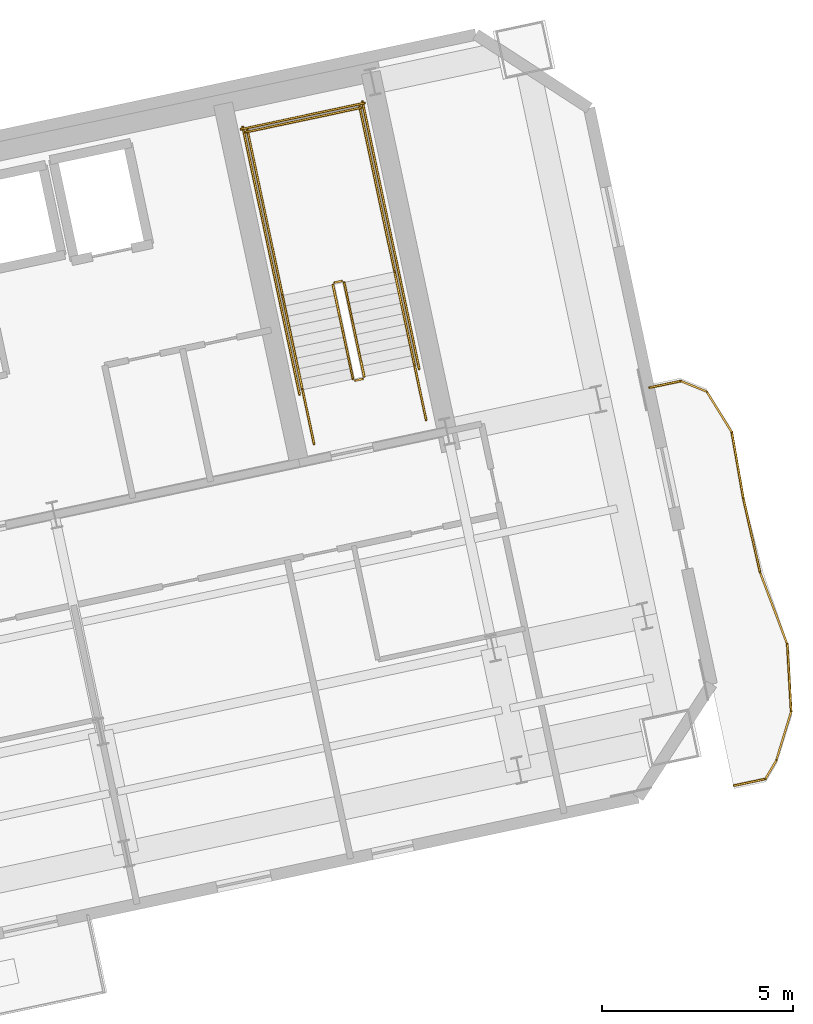
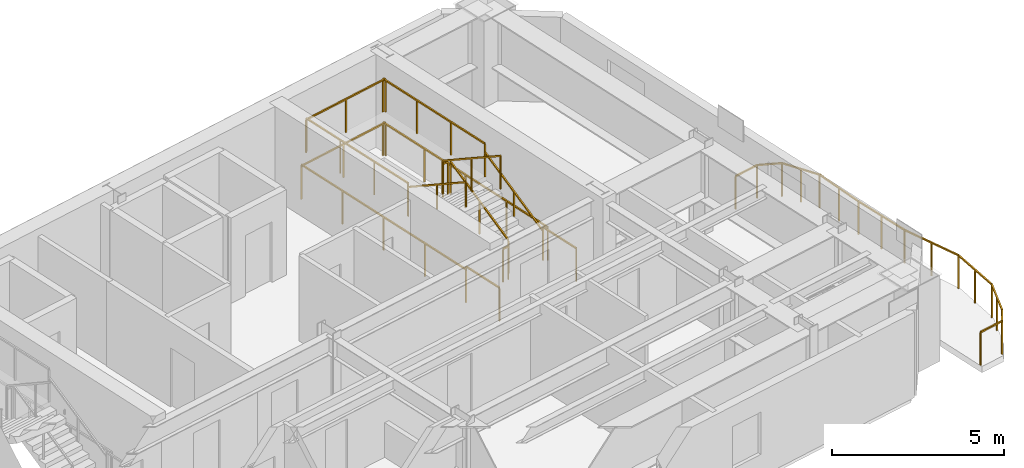
# One storey, part 16 of 16: 24 railings.
"""IFC4 building model written with IfcOpenShell, lengths in metres."""

from ifc_helpers import new_model, si_unit, direction, frame, origin, origin_2d, place, context, subcontext, project, spatial, rectangle, extrude, material, type_object, element, save


model = new_model("IFC4")

# Units and contexts
model_context = context("Model", 3, precision=1e-05, world=origin(), true_north=direction((0.0, 1.0)))
body_context = subcontext(model_context, "Body", "Model", "MODEL_VIEW")
ifc_project = project(units=[si_unit("LENGTHUNIT", "METRE"), si_unit("AREAUNIT", "SQUARE_METRE"), si_unit("VOLUMEUNIT", "CUBIC_METRE"), si_unit("PLANEANGLEUNIT", "RADIAN"), si_unit("MASSUNIT", "GRAM", prefix="KILO")], contexts=[model_context])

# Site, building, storey
site_placement = place(None, origin())
site = spatial("IfcSite", under=ifc_project, at=site_placement, CompositionType="ELEMENT")
building_placement = place(site_placement, origin())
building = spatial("IfcBuilding", under=site, at=building_placement, Name="Haevon Station Towers", CompositionType="ELEMENT")
storey_placement = place(building_placement, frame((0.0, 0.0, 172.5)))
storey = spatial("IfcBuildingStorey", under=building, at=storey_placement, Name="L47", CompositionType="ELEMENT", Elevation=172.5)

# Railings
ifc_material = material(Name="Steel S355", Category="steel")
railing_type_1 = type_object("IfcRailingType", Name="GRD-EXT1200", PredefinedType="GUARDRAIL", material=ifc_material)
railing_1_placement = place(storey_placement, frame((126.807861328125, 32.541259765625, 0.0)))
element("IfcRailing", 1, at=railing_1_placement, inside=storey, type_object=railing_type_1, Name="L47 Perimeter Guardrail 1", PredefinedType="GUARDRAIL", context=body_context, shape_type="SweptSolid", body=[
    extrude(rectangle(XDim=0.048095703125, YDim=0.048095703125, at=origin_2d()), frame((0.0, 0.0, 1.17578125), z_axis=(0.977691431104, 0.210046341426, 0.0), x_axis=(-0.210046341426, 0.977691431104, 0.0)), (0.0, 0.0, 1.0), 0.838134765625),
    extrude(rectangle(XDim=0.0419921875, YDim=0.0419921875, at=origin_2d()), origin(), (0.0, 0.0, 1.0), 1.15185546875),
    extrude(rectangle(XDim=0.0419921875, YDim=0.0419921875, at=origin_2d()), frame((0.8193359375, 0.176025390625, 0.0)), (0.0, 0.0, 1.0), 1.15185546875),
])
railing_2_placement = place(storey_placement, frame((127.627197265625, 32.71728515625, 0.0)))
element("IfcRailing", 2, at=railing_2_placement, inside=storey, type_object=railing_type_1, Name="L47 Perimeter Guardrail 2", PredefinedType="GUARDRAIL", context=body_context, shape_type="SweptSolid", body=[
    extrude(rectangle(XDim=0.048095703125, YDim=0.048095703125, at=origin_2d()), frame((0.0, 0.0, 1.17578125), z_axis=(0.50791843556, 0.861405167629, 0.0), x_axis=(-0.861405167629, 0.50791843556, 0.0)), (0.0, 0.0, 1.0), 0.55810546875),
    extrude(rectangle(XDim=0.0419921875, YDim=0.0419921875, at=origin_2d()), origin(), (0.0, 0.0, 1.0), 1.15185546875),
    extrude(rectangle(XDim=0.0419921875, YDim=0.0419921875, at=origin_2d()), frame((0.283447265625, 0.480712890625, 0.0)), (0.0, 0.0, 1.0), 1.15185546875),
])
railing_3_placement = place(storey_placement, frame((127.91064453125, 33.197998046875, 0.0)))
element("IfcRailing", 3, at=railing_3_placement, inside=storey, type_object=railing_type_1, Name="L47 Perimeter Guardrail 3", PredefinedType="GUARDRAIL", context=body_context, shape_type="SweptSolid", body=[
    extrude(rectangle(XDim=0.048095703125, YDim=0.048095703125, at=origin_2d()), frame((0.0, 0.0, 1.17578125), z_axis=(0.290899845099, 0.95675351064, 0.0), x_axis=(-0.95675351064, 0.290899845099, 0.0)), (0.0, 0.0, 1.0), 1.336181640625),
    extrude(rectangle(XDim=0.0419921875, YDim=0.0419921875, at=origin_2d()), origin(), (0.0, 0.0, 1.0), 1.15185546875),
    extrude(rectangle(XDim=0.0419921875, YDim=0.0419921875, at=origin_2d()), frame((0.1943359375, 0.63916015625, 0.0)), (0.0, 0.0, 1.0), 1.15185546875),
    extrude(rectangle(XDim=0.0419921875, YDim=0.0419921875, at=origin_2d()), frame((0.388671875, 1.2783203125, 0.0)), (0.0, 0.0, 1.0), 1.15185546875),
])
railing_4_placement = place(storey_placement, frame((128.29931640625, 34.476318359375, 0.0)))
element("IfcRailing", 4, at=railing_4_placement, inside=storey, type_object=railing_type_1, Name="L47 Perimeter Guardrail 4", PredefinedType="GUARDRAIL", context=body_context, shape_type="SweptSolid", body=[
    extrude(rectangle(XDim=0.048095703125, YDim=0.048095703125, at=origin_2d()), frame((0.0, 0.0, 1.17578125), z_axis=(-0.057490580882, 0.998346048778, 0.0), x_axis=(-0.998346048778, -0.057490580882, 0.0)), (0.0, 0.0, 1.0), 1.7666015625),
    extrude(rectangle(XDim=0.0419921875, YDim=0.0419921875, at=origin_2d()), origin(), (0.0, 0.0, 1.0), 1.15185546875),
    extrude(rectangle(XDim=0.0419921875, YDim=0.0419921875, at=origin_2d()), frame((-0.05078125, 0.8818359375, 0.0)), (0.0, 0.0, 1.0), 1.15185546875),
    extrude(rectangle(XDim=0.0419921875, YDim=0.0419921875, at=origin_2d()), frame((-0.1015625, 1.763671875, 0.0)), (0.0, 0.0, 1.0), 1.15185546875),
])
railing_5_placement = place(storey_placement, frame((128.19775390625, 36.239990234375, 0.0)))
element("IfcRailing", 5, at=railing_5_placement, inside=storey, type_object=railing_type_1, Name="L47 Perimeter Guardrail 5", PredefinedType="GUARDRAIL", context=body_context, shape_type="SweptSolid", body=[
    extrude(rectangle(XDim=0.048095703125, YDim=0.048095703125, at=origin_2d()), frame((0.0, 0.0, 1.17578125), z_axis=(-0.35410675099, 0.935205009024, 0.0), x_axis=(-0.935205009024, -0.35410675099, 0.0)), (0.0, 0.0, 1.0), 2.0166015625),
    extrude(rectangle(XDim=0.0419921875, YDim=0.0419921875, at=origin_2d()), origin(), (0.0, 0.0, 1.0), 1.15185546875),
    extrude(rectangle(XDim=0.0419921875, YDim=0.0419921875, at=origin_2d()), frame((-0.35693359375, 0.94287109375, 0.0)), (0.0, 0.0, 1.0), 1.15185546875),
    extrude(rectangle(XDim=0.0419921875, YDim=0.0419921875, at=origin_2d()), frame((-0.714111328125, 1.885986328125, 0.0)), (0.0, 0.0, 1.0), 1.15185546875),
])
railing_6_placement = place(storey_placement, frame((127.483642578125, 38.1259765625, 0.0)))
element("IfcRailing", 6, at=railing_6_placement, inside=storey, type_object=railing_type_1, Name="L47 Perimeter Guardrail 6", PredefinedType="GUARDRAIL", context=body_context, shape_type="SweptSolid", body=[
    extrude(rectangle(XDim=0.048095703125, YDim=0.048095703125, at=origin_2d()), frame((0.0, 0.0, 1.17578125), z_axis=(-0.220411539334, 0.975406968054, 0.0), x_axis=(-0.975406968054, -0.220411539334, 0.0)), (0.0, 0.0, 1.0), 1.9892578125),
    extrude(rectangle(XDim=0.0419921875, YDim=0.0419921875, at=origin_2d()), origin(), (0.0, 0.0, 1.0), 1.15185546875),
    extrude(rectangle(XDim=0.0419921875, YDim=0.0419921875, at=origin_2d()), frame((-0.21923828125, 0.97021484375, 0.0)), (0.0, 0.0, 1.0), 1.15185546875),
    extrude(rectangle(XDim=0.0419921875, YDim=0.0419921875, at=origin_2d()), frame((-0.4384765625, 1.9404296875, 0.0)), (0.0, 0.0, 1.0), 1.15185546875),
])
railing_7_placement = place(storey_placement, frame((127.045166015625, 40.06640625, 0.0)))
element("IfcRailing", 7, at=railing_7_placement, inside=storey, type_object=railing_type_1, Name="L47 Perimeter Guardrail 7", PredefinedType="GUARDRAIL", context=body_context, shape_type="SweptSolid", body=[
    extrude(rectangle(XDim=0.048095703125, YDim=0.048095703125, at=origin_2d()), frame((0.0, 0.0, 1.17578125), z_axis=(-0.171741201194, 0.98514210133, 0.0), x_axis=(-0.98514210133, -0.171741201194, 0.0)), (0.0, 0.0, 1.0), 1.75146484375),
    extrude(rectangle(XDim=0.0419921875, YDim=0.0419921875, at=origin_2d()), origin(), (0.0, 0.0, 1.0), 1.15185546875),
    extrude(rectangle(XDim=0.0419921875, YDim=0.0419921875, at=origin_2d()), frame((-0.150390625, 0.86279296875, 0.0)), (0.0, 0.0, 1.0), 1.15185546875),
    extrude(rectangle(XDim=0.0419921875, YDim=0.0419921875, at=origin_2d()), frame((-0.30078125, 1.725341796875, 0.0)), (0.0, 0.0, 1.0), 1.15185546875),
])
railing_8_placement = place(storey_placement, frame((126.744384765625, 41.791748046875, 0.0)))
element("IfcRailing", 8, at=railing_8_placement, inside=storey, type_object=railing_type_1, Name="L47 Perimeter Guardrail 8", PredefinedType="GUARDRAIL", context=body_context, shape_type="SweptSolid", body=[
    extrude(rectangle(XDim=0.048095703125, YDim=0.048095703125, at=origin_2d()), frame((0.0, 0.0, 1.17578125), z_axis=(-0.525806588811, 0.850604156563, 0.0), x_axis=(-0.850604156563, -0.525806588811, 0.0)), (0.0, 0.0, 1.0), 1.242431640625),
    extrude(rectangle(XDim=0.0419921875, YDim=0.0419921875, at=origin_2d()), origin(), (0.0, 0.0, 1.0), 1.15185546875),
    extrude(rectangle(XDim=0.0419921875, YDim=0.0419921875, at=origin_2d()), frame((-0.32666015625, 0.5283203125, 0.0)), (0.0, 0.0, 1.0), 1.15185546875),
    extrude(rectangle(XDim=0.0419921875, YDim=0.0419921875, at=origin_2d()), frame((-0.6533203125, 1.056884765625, 0.0)), (0.0, 0.0, 1.0), 1.15185546875),
])
railing_9_placement = place(storey_placement, frame((126.091064453125, 42.8486328125, 0.0)))
element("IfcRailing", 9, at=railing_9_placement, inside=storey, type_object=railing_type_1, Name="L47 Perimeter Guardrail 9", PredefinedType="GUARDRAIL", context=body_context, shape_type="SweptSolid", body=[
    extrude(rectangle(XDim=0.048095703125, YDim=0.048095703125, at=origin_2d()), frame((0.0, 0.0, 1.17578125), z_axis=(-0.925568245089, 0.378580802053, 0.0), x_axis=(-0.378580802053, -0.925568245089, 0.0)), (0.0, 0.0, 1.0), 0.730712890625),
    extrude(rectangle(XDim=0.0419921875, YDim=0.0419921875, at=origin_2d()), origin(), (0.0, 0.0, 1.0), 1.15185546875),
    extrude(rectangle(XDim=0.0419921875, YDim=0.0419921875, at=origin_2d()), frame((-0.67626953125, 0.276611328125, 0.0)), (0.0, 0.0, 1.0), 1.15185546875),
])
railing_10_placement = place(storey_placement, frame((125.414794921875, 43.125244140625, 0.0)))
element("IfcRailing", 10, at=railing_10_placement, inside=storey, type_object=railing_type_1, Name="L47 Perimeter Guardrail 10", PredefinedType="GUARDRAIL", context=body_context, shape_type="SweptSolid", body=[
    extrude(rectangle(XDim=0.048095703125, YDim=0.048095703125, at=origin_2d()), frame((0.0, 0.0, 1.17578125), z_axis=(-0.978605406054, -0.205746103834, 0.0), x_axis=(0.205746103834, -0.978605406054, 0.0)), (0.0, 0.0, 1.0), 0.837646484375),
    extrude(rectangle(XDim=0.0419921875, YDim=0.0419921875, at=origin_2d()), origin(), (0.0, 0.0, 1.0), 1.15185546875),
    extrude(rectangle(XDim=0.0419921875, YDim=0.0419921875, at=origin_2d()), frame((-0.81982421875, -0.17236328125, 0.0)), (0.0, 0.0, 1.0), 1.15185546875),
])
railing_type_2 = type_object("IfcRailingType", Name="GRD-STR1200", PredefinedType="GUARDRAIL", material=ifc_material)
railing_11_placement = place(storey_placement, frame((117.128662109375, 43.23974609375, 0.1650390625)))
element("IfcRailing", 11, at=railing_11_placement, inside=storey, type_object=railing_type_2, Name="L47 ST4 Stair Guard 1", PredefinedType="GUARDRAIL", context=body_context, shape_type="SweptSolid", body=[
    extrude(rectangle(XDim=0.048095703125, YDim=0.048095703125, at=origin_2d()), frame((0.0, 0.0, 1.17578125), z_axis=(-0.179128856099, 0.842723639875, 0.507670877349), x_axis=(-0.978147030254, -0.207914374695, 0.0)), (0.0, 0.0, 1.0), 2.9248046875),
    extrude(rectangle(XDim=0.0419921875, YDim=0.0419921875, at=origin_2d()), origin(), (0.0, 0.0, 1.0), 1.15185546875),
    extrude(rectangle(XDim=0.0419921875, YDim=0.0419921875, at=origin_2d()), frame((-0.261962890625, 1.232421875, 0.742431640625)), (0.0, 0.0, 1.0), 1.15185546875),
    extrude(rectangle(XDim=0.0419921875, YDim=0.0419921875, at=origin_2d()), frame((-0.52392578125, 2.46484375, 1.48486328125)), (0.0, 0.0, 1.0), 1.15185546875),
])
railing_12_placement = place(storey_placement, frame((116.54541015625, 45.7431640625, 1.64990234375)))
element("IfcRailing", 12, at=railing_12_placement, inside=storey, type_object=railing_type_2, Name="L47 ST4 Stair Guard 2", PredefinedType="GUARDRAIL", context=body_context, shape_type="SweptSolid", body=[
    extrude(rectangle(XDim=0.048095703125, YDim=0.048095703125, at=origin_2d()), frame((0.0, 0.0, 1.17578125), z_axis=(-0.97826412705, -0.207362720198, 0.0), x_axis=(0.207362720198, -0.97826412705, 0.0)), (0.0, 0.0, 1.0), 0.2001953125),
    extrude(rectangle(XDim=0.0419921875, YDim=0.0419921875, at=origin_2d()), origin(), (0.0, 0.0, 1.0), 1.15185546875),
    extrude(rectangle(XDim=0.0419921875, YDim=0.0419921875, at=origin_2d()), frame((-0.19580078125, -0.04150390625, 0.0)), (0.0, 0.0, 1.0), 1.15185546875),
])
railing_13_placement = place(storey_placement, frame((117.925048828125, 45.9853515625, 1.64990234375)))
element("IfcRailing", 13, at=railing_13_placement, inside=storey, type_object=railing_type_2, Name="L47 ST4 Stair Guard 3", PredefinedType="GUARDRAIL", context=body_context, shape_type="SweptSolid", body=[
    extrude(rectangle(XDim=0.048095703125, YDim=0.048095703125, at=origin_2d()), frame((0.0, 0.0, 1.17578125), z_axis=(-0.207876551949, 0.978155069071, 0.0), x_axis=(-0.978155069071, -0.207876551949, 0.0)), (0.0, 0.0, 1.0), 4.429931640625),
    extrude(rectangle(XDim=0.0419921875, YDim=0.0419921875, at=origin_2d()), origin(), (0.0, 0.0, 1.0), 1.15185546875),
    extrude(rectangle(XDim=0.0419921875, YDim=0.0419921875, at=origin_2d()), frame((-0.306884765625, 1.4443359375, 0.0)), (0.0, 0.0, 1.0), 1.15185546875),
    extrude(rectangle(XDim=0.0419921875, YDim=0.0419921875, at=origin_2d()), frame((-0.614013671875, 2.888916015625, 0.0)), (0.0, 0.0, 1.0), 1.15185546875),
    extrude(rectangle(XDim=0.0419921875, YDim=0.0419921875, at=origin_2d()), frame((-0.9208984375, 4.333251953125, 0.0)), (0.0, 0.0, 1.0), 1.15185546875),
])
railing_14_placement = place(storey_placement, frame((114.99072265625, 45.361572265625, 1.64990234375)))
element("IfcRailing", 14, at=railing_14_placement, inside=storey, type_object=railing_type_2, Name="L47 ST4 Stair Guard 4", PredefinedType="GUARDRAIL", context=body_context, shape_type="SweptSolid", body=[
    extrude(rectangle(XDim=0.048095703125, YDim=0.048095703125, at=origin_2d()), frame((0.0, 0.0, 1.17578125), z_axis=(-0.207929280007, 0.978143861871, 0.0), x_axis=(-0.978143861871, -0.207929280007, 0.0)), (0.0, 0.0, 1.0), 4.43017578125),
    extrude(rectangle(XDim=0.0419921875, YDim=0.0419921875, at=origin_2d()), origin(), (0.0, 0.0, 1.0), 1.15185546875),
    extrude(rectangle(XDim=0.0419921875, YDim=0.0419921875, at=origin_2d()), frame((-0.30712890625, 1.4443359375, 0.0)), (0.0, 0.0, 1.0), 1.15185546875),
    extrude(rectangle(XDim=0.0419921875, YDim=0.0419921875, at=origin_2d()), frame((-0.614013671875, 2.888916015625, 0.0)), (0.0, 0.0, 1.0), 1.15185546875),
    extrude(rectangle(XDim=0.0419921875, YDim=0.0419921875, at=origin_2d()), frame((-0.921142578125, 4.333251953125, 0.0)), (0.0, 0.0, 1.0), 1.15185546875),
])
railing_15_placement = place(storey_placement, frame((117.0634765625, 50.280029296875, 1.64990234375)))
element("IfcRailing", 15, at=railing_15_placement, inside=storey, type_object=railing_type_2, Name="L47 ST4 Stair Guard 5", PredefinedType="GUARDRAIL", context=body_context, shape_type="SweptSolid", body=[
    extrude(rectangle(XDim=0.048095703125, YDim=0.048095703125, at=origin_2d()), frame((0.0, 0.0, 1.17578125), z_axis=(-0.978146839882, -0.207915270313, 0.0), x_axis=(0.207915270313, -0.978146839882, 0.0)), (0.0, 0.0, 1.0), 3.099853515625),
    extrude(rectangle(XDim=0.0419921875, YDim=0.0419921875, at=origin_2d()), origin(), (0.0, 0.0, 1.0), 1.15185546875),
    extrude(rectangle(XDim=0.0419921875, YDim=0.0419921875, at=origin_2d()), frame((-1.51611328125, -0.322265625, 0.0)), (0.0, 0.0, 1.0), 1.15185546875),
    extrude(rectangle(XDim=0.0419921875, YDim=0.0419921875, at=origin_2d()), frame((-3.0322265625, -0.64453125, 0.0)), (0.0, 0.0, 1.0), 1.15185546875),
])
railing_16_placement = place(storey_placement, frame((116.311279296875, 45.642333984375, 1.81494140625)))
element("IfcRailing", 16, at=railing_16_placement, inside=storey, type_object=railing_type_2, Name="L47 ST4 Stair Guard 6", PredefinedType="GUARDRAIL", context=body_context, shape_type="SweptSolid", body=[
    extrude(rectangle(XDim=0.048095703125, YDim=0.048095703125, at=origin_2d()), frame((0.0, 0.0, 1.17578125), z_axis=(0.179108667068, -0.842712120868, 0.50769712105), x_axis=(0.978151217824, 0.207894673017, 0.0)), (0.0, 0.0, 1.0), 2.92529296875),
    extrude(rectangle(XDim=0.0419921875, YDim=0.0419921875, at=origin_2d()), origin(), (0.0, 0.0, 1.0), 1.15185546875),
    extrude(rectangle(XDim=0.0419921875, YDim=0.0419921875, at=origin_2d()), frame((0.261962890625, -1.232421875, 0.74267578125)), (0.0, 0.0, 1.0), 1.15185546875),
    extrude(rectangle(XDim=0.0419921875, YDim=0.0419921875, at=origin_2d()), frame((0.52392578125, -2.465087890625, 1.485107421875)), (0.0, 0.0, 1.0), 1.15185546875),
])
railing_17_placement = place(storey_placement, frame((117.090087890625, 43.180419921875, 0.0)))
element("IfcRailing", 17, at=railing_17_placement, inside=storey, type_object=railing_type_2, Name="L47 ST4 Stair Guard 7", PredefinedType="GUARDRAIL", context=body_context, shape_type="SweptSolid", body=[
    extrude(rectangle(XDim=0.048095703125, YDim=0.048095703125, at=origin_2d()), frame((0.0, 0.0, 1.17578125), z_axis=(-0.978211583308, -0.207610448392, 0.0), x_axis=(0.207610448392, -0.978211583308, 0.0)), (0.0, 0.0, 1.0), 0.199951171875),
    extrude(rectangle(XDim=0.0419921875, YDim=0.0419921875, at=origin_2d()), origin(), (0.0, 0.0, 1.0), 1.15185546875),
    extrude(rectangle(XDim=0.0419921875, YDim=0.0419921875, at=origin_2d()), frame((-0.195556640625, -0.04150390625, 0.0)), (0.0, 0.0, 1.0), 1.15185546875),
])
for number, where, name in (
    (18, (118.75048828125, 42.10205078125, 0.0), "L47 ST4 Stair Guard 8"),
    (19, (115.816162109375, 41.478271484375, 0.0), "L47 ST4 Stair Guard 9"),
):
    element("IfcRailing", number, at=place(storey_placement, frame(where)), inside=storey, type_object=railing_type_2, Name=name, PredefinedType="GUARDRAIL", context=body_context, shape_type="SweptSolid", body=[
        extrude(rectangle(XDim=0.048095703125, YDim=0.048095703125, at=origin_2d()), frame((0.0, 0.0, 1.17578125), z_axis=(-0.207919161079, 0.978146012851, 0.0), x_axis=(-0.978146012851, -0.207919161079, 0.0)), (0.0, 0.0, 1.0), 1.4501953125),
        extrude(rectangle(XDim=0.0419921875, YDim=0.0419921875, at=origin_2d()), origin(), (0.0, 0.0, 1.0), 1.15185546875),
        extrude(rectangle(XDim=0.0419921875, YDim=0.0419921875, at=origin_2d()), frame((-0.301513671875, 1.41845703125, 0.0)), (0.0, 0.0, 1.0), 1.15185546875),
    ])
railing_18_placement = place(storey_placement, frame((118.567626953125, 43.443359375, 0.0)))
element("IfcRailing", 20, at=railing_18_placement, inside=storey, type_object=railing_type_2, Name="L47 ST4 Stair Guard 10", PredefinedType="GUARDRAIL", context=body_context, shape_type="SweptSolid", body=[
    extrude(rectangle(XDim=0.048095703125, YDim=0.048095703125, at=origin_2d()), frame((0.0, 0.0, 1.17578125), z_axis=(-0.207908168386, 0.978148349443, 0.0), x_axis=(-0.978148349443, -0.207908168386, 0.0)), (0.0, 0.0, 1.0), 7.150146484375),
    extrude(rectangle(XDim=0.0419921875, YDim=0.0419921875, at=origin_2d()), origin(), (0.0, 0.0, 1.0), 1.15185546875),
    extrude(rectangle(XDim=0.0419921875, YDim=0.0419921875, at=origin_2d()), frame((-0.37158203125, 1.74853515625, 0.0)), (0.0, 0.0, 1.0), 1.15185546875),
    extrude(rectangle(XDim=0.0419921875, YDim=0.0419921875, at=origin_2d()), frame((-0.7431640625, 3.4970703125, 0.0)), (0.0, 0.0, 1.0), 1.15185546875),
    extrude(rectangle(XDim=0.0419921875, YDim=0.0419921875, at=origin_2d()), frame((-1.114990234375, 5.245361328125, 0.0)), (0.0, 0.0, 1.0), 1.15185546875),
    extrude(rectangle(XDim=0.0419921875, YDim=0.0419921875, at=origin_2d()), frame((-1.486572265625, 6.993896484375, 0.0)), (0.0, 0.0, 1.0), 1.15185546875),
])
railing_19_placement = place(storey_placement, frame((115.4375, 42.778076171875, 0.0)))
element("IfcRailing", 21, at=railing_19_placement, inside=storey, type_object=railing_type_2, Name="L47 ST4 Stair Guard 11", PredefinedType="GUARDRAIL", context=body_context, shape_type="SweptSolid", body=[
    extrude(rectangle(XDim=0.048095703125, YDim=0.048095703125, at=origin_2d()), frame((0.0, 0.0, 1.17578125), z_axis=(-0.207882442208, 0.978153817261, 0.0), x_axis=(-0.978153817261, -0.207882442208, 0.0)), (0.0, 0.0, 1.0), 7.14990234375),
    extrude(rectangle(XDim=0.0419921875, YDim=0.0419921875, at=origin_2d()), origin(), (0.0, 0.0, 1.0), 1.15185546875),
    extrude(rectangle(XDim=0.0419921875, YDim=0.0419921875, at=origin_2d()), frame((-0.37158203125, 1.74853515625, 0.0)), (0.0, 0.0, 1.0), 1.15185546875),
    extrude(rectangle(XDim=0.0419921875, YDim=0.0419921875, at=origin_2d()), frame((-0.7431640625, 3.496826171875, 0.0)), (0.0, 0.0, 1.0), 1.15185546875),
    extrude(rectangle(XDim=0.0419921875, YDim=0.0419921875, at=origin_2d()), frame((-1.11474609375, 5.2451171875, 0.0)), (0.0, 0.0, 1.0), 1.15185546875),
    extrude(rectangle(XDim=0.0419921875, YDim=0.0419921875, at=origin_2d()), frame((-1.486328125, 6.99365234375, 0.0)), (0.0, 0.0, 1.0), 1.15185546875),
])
railing_20_placement = place(storey_placement, frame((117.140380859375, 50.398681640625, 0.0)))
element("IfcRailing", 22, at=railing_20_placement, inside=storey, type_object=railing_type_2, Name="L47 ST4 Stair Guard 12", PredefinedType="GUARDRAIL", context=body_context, shape_type="SweptSolid", body=[
    extrude(rectangle(XDim=0.048095703125, YDim=0.048095703125, at=origin_2d()), frame((0.0, 0.0, 1.17578125), z_axis=(-0.978135717418, -0.207967589567, 0.0), x_axis=(0.207967589567, -0.978135717418, 0.0)), (0.0, 0.0, 1.0), 3.300048828125),
    extrude(rectangle(XDim=0.0419921875, YDim=0.0419921875, at=origin_2d()), origin(), (0.0, 0.0, 1.0), 1.15185546875),
    extrude(rectangle(XDim=0.0419921875, YDim=0.0419921875, at=origin_2d()), frame((-1.61376953125, -0.34326171875, 0.0)), (0.0, 0.0, 1.0), 1.15185546875),
    extrude(rectangle(XDim=0.0419921875, YDim=0.0419921875, at=origin_2d()), frame((-3.227783203125, -0.686279296875, 0.0)), (0.0, 0.0, 1.0), 1.15185546875),
])
railing_type_3 = type_object("IfcRailingType", Name="HND-STR900", PredefinedType="HANDRAIL", material=ifc_material)
railing_21_placement = place(storey_placement, frame((118.448974609375, 43.5205078125, 0.1650390625)))
element("IfcRailing", 23, at=railing_21_placement, inside=storey, type_object=railing_type_3, Name="L47 ST4 Stair Handrail 1", PredefinedType="HANDRAIL", context=body_context, shape_type="SweptSolid", body=[
    extrude(rectangle(XDim=0.048095703125, YDim=0.048095703125, at=origin_2d()), frame((0.0, 0.0, 0.8759765625), z_axis=(-0.179128856099, 0.842723639875, 0.507670877349), x_axis=(-0.978147030254, -0.207914374695, 0.0)), (0.0, 0.0, 1.0), 2.9248046875),
    extrude(rectangle(XDim=0.0419921875, YDim=0.0419921875, at=origin_2d()), origin(), (0.0, 0.0, 1.0), 0.851806640625),
    extrude(rectangle(XDim=0.0419921875, YDim=0.0419921875, at=origin_2d()), frame((-0.261962890625, 1.232421875, 0.742431640625)), (0.0, 0.0, 1.0), 0.851806640625),
    extrude(rectangle(XDim=0.0419921875, YDim=0.0419921875, at=origin_2d()), frame((-0.52392578125, 2.46484375, 1.48486328125)), (0.0, 0.0, 1.0), 0.851806640625),
])
railing_22_placement = place(storey_placement, frame((114.99072265625, 45.361572265625, 1.81494140625)))
element("IfcRailing", 24, at=railing_22_placement, inside=storey, type_object=railing_type_3, Name="L47 ST4 Stair Handrail 2", PredefinedType="HANDRAIL", context=body_context, shape_type="SweptSolid", body=[
    extrude(rectangle(XDim=0.048095703125, YDim=0.048095703125, at=origin_2d()), frame((0.0, 0.0, 0.8759765625), z_axis=(0.179121265225, -0.842687928106, 0.507732831485), x_axis=(0.978147030254, 0.207914374695, 0.0)), (0.0, 0.0, 1.0), 2.925048828125),
    extrude(rectangle(XDim=0.0419921875, YDim=0.0419921875, at=origin_2d()), origin(), (0.0, 0.0, 1.0), 0.851806640625),
    extrude(rectangle(XDim=0.0419921875, YDim=0.0419921875, at=origin_2d()), frame((0.261962890625, -1.232421875, 0.74267578125)), (0.0, 0.0, 1.0), 0.851806640625),
    extrude(rectangle(XDim=0.0419921875, YDim=0.0419921875, at=origin_2d()), frame((0.52392578125, -2.46484375, 1.485107421875)), (0.0, 0.0, 1.0), 0.851806640625),
])

save(model, "model.ifc")
